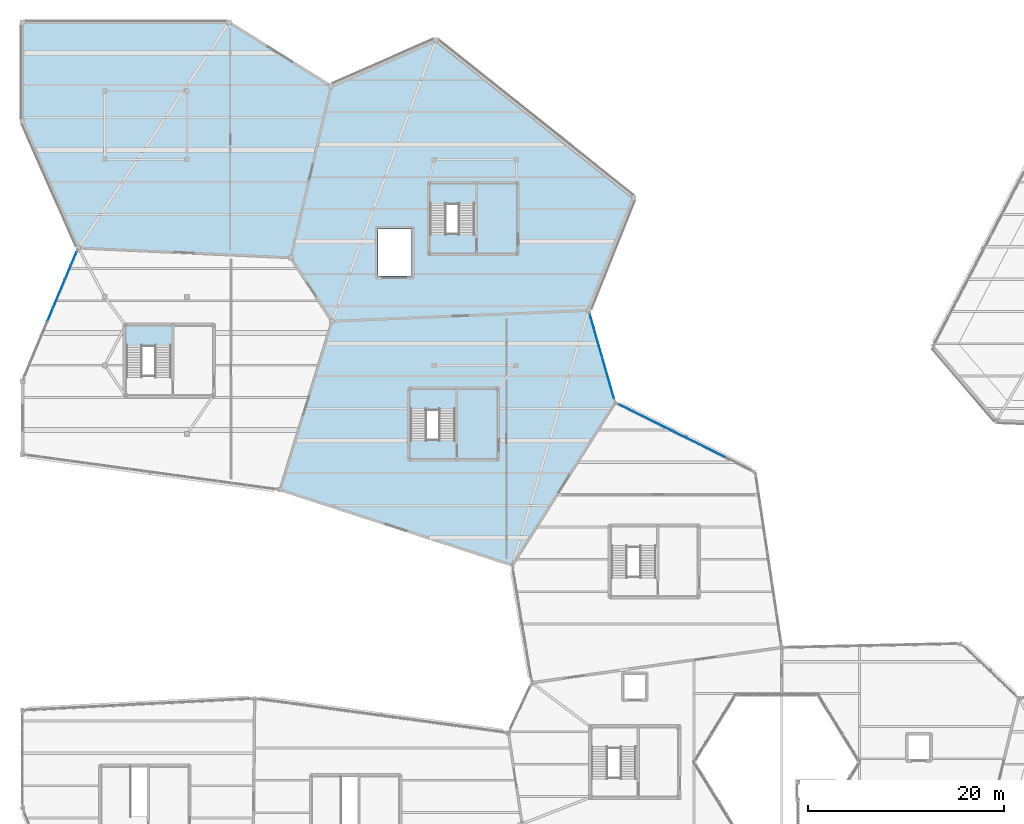
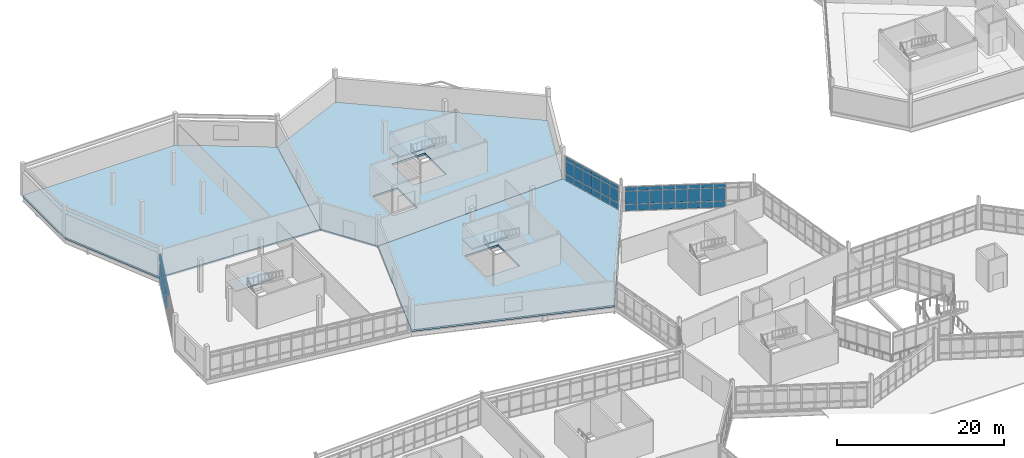
# One storey, part 93 of 134: 55 plates, 6 slabs, 6 elements without a shape of their own.
"""IFC4 building model written with IfcOpenShell, lengths in metres."""

from ifc_helpers import new_model, si_unit, direction, frame, origin, origin_2d, place, context, subcontext, project, spatial, polyline, rectangle, outline, extrude, material, layer, layer_set, type_object, element, aggregate, save


model = new_model("IFC4")

# Units and contexts
model_context = context("Model", 3, precision=1e-05, world=origin(), true_north=direction((0.0, 1.0)))
body_context = subcontext(model_context, "Body", "Model", "MODEL_VIEW")
ifc_project = project(units=[si_unit("LENGTHUNIT", "METRE"), si_unit("AREAUNIT", "SQUARE_METRE"), si_unit("VOLUMEUNIT", "CUBIC_METRE"), si_unit("PLANEANGLEUNIT", "RADIAN"), si_unit("MASSUNIT", "GRAM", prefix="KILO")], contexts=[model_context])

# Site, building, storey
site_placement = place(None, origin())
site = spatial("IfcSite", under=ifc_project, at=site_placement, CompositionType="ELEMENT")
building_placement = place(site_placement, origin())
building = spatial("IfcBuilding", under=site, at=building_placement, Name="Tameran Prism Museum", CompositionType="ELEMENT")
storey_placement = place(building_placement, frame((0.0, 0.0, 5.39990234375)))
storey = spatial("IfcBuildingStorey", under=building, at=storey_placement, Name="L01", CompositionType="ELEMENT", Elevation=5.39990234375)

# Curtain wall, plates
ifc_material_1 = material(Name="Anodised Aluminium 6063-T6 and Cyclone Solar Glass", Category="aluminium")
curtain_wall_type_1 = type_object("IfcCurtainWallType", Name="CW-FAC-1520x362", PredefinedType="USERDEFINED", material=ifc_material_1)
curtain_wall_1_placement = place(storey_placement, origin())
curtain_wall_1 = element("IfcCurtainWall", 1, at=curtain_wall_1_placement, inside=storey, type_object=curtain_wall_type_1, Name="Unitised Curtain Wall CW-071", ObjectType="UNITISED CURTAIN WALL", PredefinedType="USERDEFINED")
ifc_material_2 = material(Name="Cyclone Laminated Solar Glass", Category="glass")
ifc_layer_1 = layer(ifc_material_2, 0.031982421875)
ifc_layer_set_1 = layer_set([ifc_layer_1])
plate_type = type_object("IfcPlateType", Name="CW-PNL-G32", PredefinedType="CURTAIN_PANEL", material=ifc_layer_set_1)
plate_1_placement = place(storey_placement, frame((61.5625, 72.671630859375, 0.06494140625), z_axis=(0.0, 0.0, 1.0), x_axis=(0.895712459966, -0.444633769593, 0.0)))
plate_1 = element("IfcPlate", 2, at=plate_1_placement, type_object=plate_type, Name="CW-071 panel 1.1", PredefinedType="CURTAIN_PANEL", context=body_context, shape_type="SweptSolid", body=[
    extrude(rectangle(XDim=1.423095703125, YDim=0.031982421875, at=origin_2d()), origin(), (0.0, 0.0, 1.0), 0.902587890625),
])
plate_2_placement = place(storey_placement, frame((61.5625, 72.671630859375, 1.03271484375), z_axis=(0.0, 0.0, 1.0), x_axis=(0.895712459966, -0.444633769593, 0.0)))
plate_2 = element("IfcPlate", 3, at=plate_2_placement, type_object=plate_type, Name="CW-071 panel 1.2", PredefinedType="CURTAIN_PANEL", context=body_context, shape_type="SweptSolid", body=[
    extrude(rectangle(XDim=1.423095703125, YDim=0.031982421875, at=origin_2d()), origin(), (0.0, 0.0, 1.0), 1.875),
])
plate_3_placement = place(storey_placement, frame((61.5625, 72.671630859375, 2.97265625), z_axis=(0.0, 0.0, 1.0), x_axis=(0.895712459966, -0.444633769593, 0.0)))
plate_3 = element("IfcPlate", 4, at=plate_3_placement, type_object=plate_type, Name="CW-071 panel 1.3", PredefinedType="CURTAIN_PANEL", context=body_context, shape_type="SweptSolid", body=[
    extrude(rectangle(XDim=1.423095703125, YDim=0.031982421875, at=origin_2d()), origin(), (0.0, 0.0, 1.0), 0.58251953125),
])
plate_4_placement = place(storey_placement, frame((62.909912109375, 72.0029296875, 0.06494140625), z_axis=(0.0, 0.0, 1.0), x_axis=(0.895712459966, -0.444633769593, 0.0)))
plate_4 = element("IfcPlate", 5, at=plate_4_placement, type_object=plate_type, Name="CW-071 panel 2.1", PredefinedType="CURTAIN_PANEL", context=body_context, shape_type="SweptSolid", body=[
    extrude(rectangle(XDim=1.45556640625, YDim=0.031982421875, at=origin_2d()), origin(), (0.0, 0.0, 1.0), 0.902587890625),
])
plate_5_placement = place(storey_placement, frame((62.909912109375, 72.0029296875, 1.03271484375), z_axis=(0.0, 0.0, 1.0), x_axis=(0.895712459966, -0.444633769593, 0.0)))
plate_5 = element("IfcPlate", 6, at=plate_5_placement, type_object=plate_type, Name="CW-071 panel 2.2", PredefinedType="CURTAIN_PANEL", context=body_context, shape_type="SweptSolid", body=[
    extrude(rectangle(XDim=1.45556640625, YDim=0.031982421875, at=origin_2d()), origin(), (0.0, 0.0, 1.0), 1.875),
])
plate_6_placement = place(storey_placement, frame((62.909912109375, 72.0029296875, 2.97265625), z_axis=(0.0, 0.0, 1.0), x_axis=(0.895712459966, -0.444633769593, 0.0)))
plate_6 = element("IfcPlate", 7, at=plate_6_placement, type_object=plate_type, Name="CW-071 panel 2.3", PredefinedType="CURTAIN_PANEL", context=body_context, shape_type="SweptSolid", body=[
    extrude(rectangle(XDim=1.45556640625, YDim=0.031982421875, at=origin_2d()), origin(), (0.0, 0.0, 1.0), 0.58251953125),
])
plate_7_placement = place(storey_placement, frame((64.27197265625, 71.32666015625, 0.06494140625), z_axis=(0.0, 0.0, 1.0), x_axis=(0.895712459966, -0.444633769593, 0.0)))
plate_7 = element("IfcPlate", 8, at=plate_7_placement, type_object=plate_type, Name="CW-071 panel 3.1", PredefinedType="CURTAIN_PANEL", context=body_context, shape_type="SweptSolid", body=[
    extrude(rectangle(XDim=1.45556640625, YDim=0.031982421875, at=origin_2d()), origin(), (0.0, 0.0, 1.0), 0.902587890625),
])
plate_8_placement = place(storey_placement, frame((64.27197265625, 71.32666015625, 1.03271484375), z_axis=(0.0, 0.0, 1.0), x_axis=(0.895712459966, -0.444633769593, 0.0)))
plate_8 = element("IfcPlate", 9, at=plate_8_placement, type_object=plate_type, Name="CW-071 panel 3.2", PredefinedType="CURTAIN_PANEL", context=body_context, shape_type="SweptSolid", body=[
    extrude(rectangle(XDim=1.45556640625, YDim=0.031982421875, at=origin_2d()), origin(), (0.0, 0.0, 1.0), 1.875),
])
plate_9_placement = place(storey_placement, frame((64.27197265625, 71.32666015625, 2.97265625), z_axis=(0.0, 0.0, 1.0), x_axis=(0.895712459966, -0.444633769593, 0.0)))
plate_9 = element("IfcPlate", 10, at=plate_9_placement, type_object=plate_type, Name="CW-071 panel 3.3", PredefinedType="CURTAIN_PANEL", context=body_context, shape_type="SweptSolid", body=[
    extrude(rectangle(XDim=1.45556640625, YDim=0.031982421875, at=origin_2d()), origin(), (0.0, 0.0, 1.0), 0.58251953125),
])
plate_10_placement = place(storey_placement, frame((65.634033203125, 70.650634765625, 0.06494140625), z_axis=(0.0, 0.0, 1.0), x_axis=(0.895712459966, -0.444633769593, 0.0)))
plate_10 = element("IfcPlate", 11, at=plate_10_placement, type_object=plate_type, Name="CW-071 panel 4.1", PredefinedType="CURTAIN_PANEL", context=body_context, shape_type="SweptSolid", body=[
    extrude(rectangle(XDim=1.45556640625, YDim=0.031982421875, at=origin_2d()), origin(), (0.0, 0.0, 1.0), 0.902587890625),
])
plate_11_placement = place(storey_placement, frame((65.634033203125, 70.650634765625, 1.03271484375), z_axis=(0.0, 0.0, 1.0), x_axis=(0.895712459966, -0.444633769593, 0.0)))
plate_11 = element("IfcPlate", 12, at=plate_11_placement, type_object=plate_type, Name="CW-071 panel 4.2", PredefinedType="CURTAIN_PANEL", context=body_context, shape_type="SweptSolid", body=[
    extrude(rectangle(XDim=1.45556640625, YDim=0.031982421875, at=origin_2d()), origin(), (0.0, 0.0, 1.0), 1.875),
])
plate_12_placement = place(storey_placement, frame((65.634033203125, 70.650634765625, 2.97265625), z_axis=(0.0, 0.0, 1.0), x_axis=(0.895712459966, -0.444633769593, 0.0)))
plate_12 = element("IfcPlate", 13, at=plate_12_placement, type_object=plate_type, Name="CW-071 panel 4.3", PredefinedType="CURTAIN_PANEL", context=body_context, shape_type="SweptSolid", body=[
    extrude(rectangle(XDim=1.45556640625, YDim=0.031982421875, at=origin_2d()), origin(), (0.0, 0.0, 1.0), 0.58251953125),
])
plate_13_placement = place(storey_placement, frame((66.99609375, 69.974609375, 0.06494140625), z_axis=(0.0, 0.0, 1.0), x_axis=(0.895712459966, -0.444633769593, 0.0)))
plate_13 = element("IfcPlate", 14, at=plate_13_placement, type_object=plate_type, Name="CW-071 panel 5.1", PredefinedType="CURTAIN_PANEL", context=body_context, shape_type="SweptSolid", body=[
    extrude(rectangle(XDim=1.45556640625, YDim=0.031982421875, at=origin_2d()), origin(), (0.0, 0.0, 1.0), 0.902587890625),
])
plate_14_placement = place(storey_placement, frame((66.99609375, 69.974609375, 1.03271484375), z_axis=(0.0, 0.0, 1.0), x_axis=(0.895712459966, -0.444633769593, 0.0)))
plate_14 = element("IfcPlate", 15, at=plate_14_placement, type_object=plate_type, Name="CW-071 panel 5.2", PredefinedType="CURTAIN_PANEL", context=body_context, shape_type="SweptSolid", body=[
    extrude(rectangle(XDim=1.45556640625, YDim=0.031982421875, at=origin_2d()), origin(), (0.0, 0.0, 1.0), 1.875),
])
plate_15_placement = place(storey_placement, frame((66.99609375, 69.974609375, 2.97265625), z_axis=(0.0, 0.0, 1.0), x_axis=(0.895712459966, -0.444633769593, 0.0)))
plate_15 = element("IfcPlate", 16, at=plate_15_placement, type_object=plate_type, Name="CW-071 panel 5.3", PredefinedType="CURTAIN_PANEL", context=body_context, shape_type="SweptSolid", body=[
    extrude(rectangle(XDim=1.45556640625, YDim=0.031982421875, at=origin_2d()), origin(), (0.0, 0.0, 1.0), 0.58251953125),
])
plate_16_placement = place(storey_placement, frame((68.35791015625, 69.29833984375, 0.06494140625), z_axis=(0.0, 0.0, 1.0), x_axis=(0.895712459966, -0.444633769593, 0.0)))
plate_16 = element("IfcPlate", 17, at=plate_16_placement, type_object=plate_type, Name="CW-071 panel 6.1", PredefinedType="CURTAIN_PANEL", context=body_context, shape_type="SweptSolid", body=[
    extrude(rectangle(XDim=1.45556640625, YDim=0.031982421875, at=origin_2d()), origin(), (0.0, 0.0, 1.0), 0.902587890625),
])
plate_17_placement = place(storey_placement, frame((68.35791015625, 69.29833984375, 1.03271484375), z_axis=(0.0, 0.0, 1.0), x_axis=(0.895712459966, -0.444633769593, 0.0)))
plate_17 = element("IfcPlate", 18, at=plate_17_placement, type_object=plate_type, Name="CW-071 panel 6.2", PredefinedType="CURTAIN_PANEL", context=body_context, shape_type="SweptSolid", body=[
    extrude(rectangle(XDim=1.45556640625, YDim=0.031982421875, at=origin_2d()), origin(), (0.0, 0.0, 1.0), 1.875),
])
plate_18_placement = place(storey_placement, frame((68.35791015625, 69.29833984375, 2.97265625), z_axis=(0.0, 0.0, 1.0), x_axis=(0.895712459966, -0.444633769593, 0.0)))
plate_18 = element("IfcPlate", 19, at=plate_18_placement, type_object=plate_type, Name="CW-071 panel 6.3", PredefinedType="CURTAIN_PANEL", context=body_context, shape_type="SweptSolid", body=[
    extrude(rectangle(XDim=1.45556640625, YDim=0.031982421875, at=origin_2d()), origin(), (0.0, 0.0, 1.0), 0.58251953125),
])
plate_19_placement = place(storey_placement, frame((69.719970703125, 68.622314453125, 0.06494140625), z_axis=(0.0, 0.0, 1.0), x_axis=(0.895712459966, -0.444633769593, 0.0)))
plate_19 = element("IfcPlate", 20, at=plate_19_placement, type_object=plate_type, Name="CW-071 panel 7.1", PredefinedType="CURTAIN_PANEL", context=body_context, shape_type="SweptSolid", body=[
    extrude(rectangle(XDim=1.45556640625, YDim=0.031982421875, at=origin_2d()), origin(), (0.0, 0.0, 1.0), 0.902587890625),
])
plate_20_placement = place(storey_placement, frame((69.719970703125, 68.622314453125, 1.03271484375), z_axis=(0.0, 0.0, 1.0), x_axis=(0.895712459966, -0.444633769593, 0.0)))
plate_20 = element("IfcPlate", 21, at=plate_20_placement, type_object=plate_type, Name="CW-071 panel 7.2", PredefinedType="CURTAIN_PANEL", context=body_context, shape_type="SweptSolid", body=[
    extrude(rectangle(XDim=1.45556640625, YDim=0.031982421875, at=origin_2d()), origin(), (0.0, 0.0, 1.0), 1.875),
])
plate_21_placement = place(storey_placement, frame((69.719970703125, 68.622314453125, 2.97265625), z_axis=(0.0, 0.0, 1.0), x_axis=(0.895712459966, -0.444633769593, 0.0)))
plate_21 = element("IfcPlate", 22, at=plate_21_placement, type_object=plate_type, Name="CW-071 panel 7.3", PredefinedType="CURTAIN_PANEL", context=body_context, shape_type="SweptSolid", body=[
    extrude(rectangle(XDim=1.45556640625, YDim=0.031982421875, at=origin_2d()), origin(), (0.0, 0.0, 1.0), 0.58251953125),
])
plate_22_placement = place(storey_placement, frame((71.08203125, 67.9462890625, 0.06494140625), z_axis=(0.0, 0.0, 1.0), x_axis=(0.895712459966, -0.444633769593, 0.0)))
plate_22 = element("IfcPlate", 23, at=plate_22_placement, type_object=plate_type, Name="CW-071 panel 8.1", PredefinedType="CURTAIN_PANEL", context=body_context, shape_type="SweptSolid", body=[
    extrude(rectangle(XDim=1.45556640625, YDim=0.031982421875, at=origin_2d()), origin(), (0.0, 0.0, 1.0), 0.902587890625),
])
plate_23_placement = place(storey_placement, frame((71.08203125, 67.9462890625, 1.03271484375), z_axis=(0.0, 0.0, 1.0), x_axis=(0.895712459966, -0.444633769593, 0.0)))
plate_23 = element("IfcPlate", 24, at=plate_23_placement, type_object=plate_type, Name="CW-071 panel 8.2", PredefinedType="CURTAIN_PANEL", context=body_context, shape_type="SweptSolid", body=[
    extrude(rectangle(XDim=1.45556640625, YDim=0.031982421875, at=origin_2d()), origin(), (0.0, 0.0, 1.0), 1.875),
])
plate_24_placement = place(storey_placement, frame((71.08203125, 67.9462890625, 2.97265625), z_axis=(0.0, 0.0, 1.0), x_axis=(0.895712459966, -0.444633769593, 0.0)))
plate_24 = element("IfcPlate", 25, at=plate_24_placement, type_object=plate_type, Name="CW-071 panel 8.3", PredefinedType="CURTAIN_PANEL", context=body_context, shape_type="SweptSolid", body=[
    extrude(rectangle(XDim=1.45556640625, YDim=0.031982421875, at=origin_2d()), origin(), (0.0, 0.0, 1.0), 0.58251953125),
])
aggregate(curtain_wall_1, [plate_1, plate_2, plate_3, plate_4, plate_5, plate_6, plate_7, plate_8, plate_9, plate_10, plate_11, plate_12, plate_13, plate_14, plate_15, plate_16, plate_17, plate_18, plate_19, plate_20, plate_21, plate_22, plate_23, plate_24])

ifc_material_3 = material(Name="Anodised Aluminium 6063-T6 and Cyclone Solar Glass", Category="aluminium")
curtain_wall_type_2 = type_object("IfcCurtainWallType", Name="CW-FAC-896x362", PredefinedType="USERDEFINED", material=ifc_material_3)
curtain_wall_2_placement = place(storey_placement, origin())
curtain_wall_2 = element("IfcCurtainWall", 26, at=curtain_wall_2_placement, inside=storey, type_object=curtain_wall_type_2, Name="Unitised Curtain Wall CW-092", ObjectType="UNITISED CURTAIN WALL", PredefinedType="USERDEFINED")
plate_25_placement = place(storey_placement, frame((58.124755859375, 81.471435546875, 0.070068359375), z_axis=(0.0, 0.0, 1.0), x_axis=(0.275900197941, -0.961186288279, 0.0)))
plate_25 = element("IfcPlate", 27, at=plate_25_placement, type_object=plate_type, Name="CW-092 panel 1.1", PredefinedType="CURTAIN_PANEL", context=body_context, shape_type="SweptSolid", body=[
    extrude(rectangle(XDim=1.38818359375, YDim=0.031982421875, at=origin_2d()), origin(), (0.0, 0.0, 1.0), 0.89501953125),
])
plate_26_placement = place(storey_placement, frame((58.124755859375, 81.471435546875, 1.03515625), z_axis=(0.0, 0.0, 1.0), x_axis=(0.275900197941, -0.961186288279, 0.0)))
plate_26 = element("IfcPlate", 28, at=plate_26_placement, type_object=plate_type, Name="CW-092 panel 1.2", PredefinedType="CURTAIN_PANEL", context=body_context, shape_type="SweptSolid", body=[
    extrude(rectangle(XDim=1.38818359375, YDim=0.031982421875, at=origin_2d()), origin(), (0.0, 0.0, 1.0), 1.8701171875),
])
plate_27_placement = place(storey_placement, frame((58.124755859375, 81.471435546875, 2.97509765625), z_axis=(0.0, 0.0, 1.0), x_axis=(0.275900197941, -0.961186288279, 0.0)))
plate_27 = element("IfcPlate", 29, at=plate_27_placement, type_object=plate_type, Name="CW-092 panel 1.3", PredefinedType="CURTAIN_PANEL", context=body_context, shape_type="SweptSolid", body=[
    extrude(rectangle(XDim=1.38818359375, YDim=0.031982421875, at=origin_2d()), origin(), (0.0, 0.0, 1.0), 0.574951171875),
])
plate_28_placement = place(storey_placement, frame((58.531982421875, 80.052978515625, 0.070068359375), z_axis=(0.0, 0.0, 1.0), x_axis=(0.275900197941, -0.961186288279, 0.0)))
plate_28 = element("IfcPlate", 30, at=plate_28_placement, type_object=plate_type, Name="CW-092 panel 2.1", PredefinedType="CURTAIN_PANEL", context=body_context, shape_type="SweptSolid", body=[
    extrude(rectangle(XDim=1.42333984375, YDim=0.031982421875, at=origin_2d()), origin(), (0.0, 0.0, 1.0), 0.89501953125),
])
plate_29_placement = place(storey_placement, frame((58.531982421875, 80.052978515625, 1.03515625), z_axis=(0.0, 0.0, 1.0), x_axis=(0.275900197941, -0.961186288279, 0.0)))
plate_29 = element("IfcPlate", 31, at=plate_29_placement, type_object=plate_type, Name="CW-092 panel 2.2", PredefinedType="CURTAIN_PANEL", context=body_context, shape_type="SweptSolid", body=[
    extrude(rectangle(XDim=1.42333984375, YDim=0.031982421875, at=origin_2d()), origin(), (0.0, 0.0, 1.0), 1.8701171875),
])
plate_30_placement = place(storey_placement, frame((58.531982421875, 80.052978515625, 2.97509765625), z_axis=(0.0, 0.0, 1.0), x_axis=(0.275900197941, -0.961186288279, 0.0)))
plate_30 = element("IfcPlate", 32, at=plate_30_placement, type_object=plate_type, Name="CW-092 panel 2.3", PredefinedType="CURTAIN_PANEL", context=body_context, shape_type="SweptSolid", body=[
    extrude(rectangle(XDim=1.42333984375, YDim=0.031982421875, at=origin_2d()), origin(), (0.0, 0.0, 1.0), 0.574951171875),
])
plate_31_placement = place(storey_placement, frame((58.944091796875, 78.61767578125, 0.070068359375), z_axis=(0.0, 0.0, 1.0), x_axis=(0.275900197941, -0.961186288279, 0.0)))
plate_31 = element("IfcPlate", 33, at=plate_31_placement, type_object=plate_type, Name="CW-092 panel 3.1", PredefinedType="CURTAIN_PANEL", context=body_context, shape_type="SweptSolid", body=[
    extrude(rectangle(XDim=1.42333984375, YDim=0.031982421875, at=origin_2d()), origin(), (0.0, 0.0, 1.0), 0.89501953125),
])
plate_32_placement = place(storey_placement, frame((58.944091796875, 78.61767578125, 1.03515625), z_axis=(0.0, 0.0, 1.0), x_axis=(0.275900197941, -0.961186288279, 0.0)))
plate_32 = element("IfcPlate", 34, at=plate_32_placement, type_object=plate_type, Name="CW-092 panel 3.2", PredefinedType="CURTAIN_PANEL", context=body_context, shape_type="SweptSolid", body=[
    extrude(rectangle(XDim=1.42333984375, YDim=0.031982421875, at=origin_2d()), origin(), (0.0, 0.0, 1.0), 1.8701171875),
])
plate_33_placement = place(storey_placement, frame((58.944091796875, 78.61767578125, 2.97509765625), z_axis=(0.0, 0.0, 1.0), x_axis=(0.275900197941, -0.961186288279, 0.0)))
plate_33 = element("IfcPlate", 35, at=plate_33_placement, type_object=plate_type, Name="CW-092 panel 3.3", PredefinedType="CURTAIN_PANEL", context=body_context, shape_type="SweptSolid", body=[
    extrude(rectangle(XDim=1.42333984375, YDim=0.031982421875, at=origin_2d()), origin(), (0.0, 0.0, 1.0), 0.574951171875),
])
plate_34_placement = place(storey_placement, frame((59.35595703125, 77.182373046875, 0.070068359375), z_axis=(0.0, 0.0, 1.0), x_axis=(0.275900197941, -0.961186288279, 0.0)))
plate_34 = element("IfcPlate", 36, at=plate_34_placement, type_object=plate_type, Name="CW-092 panel 4.1", PredefinedType="CURTAIN_PANEL", context=body_context, shape_type="SweptSolid", body=[
    extrude(rectangle(XDim=1.42333984375, YDim=0.031982421875, at=origin_2d()), origin(), (0.0, 0.0, 1.0), 0.89501953125),
])
plate_35_placement = place(storey_placement, frame((59.35595703125, 77.182373046875, 1.03515625), z_axis=(0.0, 0.0, 1.0), x_axis=(0.275900197941, -0.961186288279, 0.0)))
plate_35 = element("IfcPlate", 37, at=plate_35_placement, type_object=plate_type, Name="CW-092 panel 4.2", PredefinedType="CURTAIN_PANEL", context=body_context, shape_type="SweptSolid", body=[
    extrude(rectangle(XDim=1.42333984375, YDim=0.031982421875, at=origin_2d()), origin(), (0.0, 0.0, 1.0), 1.8701171875),
])
plate_36_placement = place(storey_placement, frame((59.35595703125, 77.182373046875, 2.97509765625), z_axis=(0.0, 0.0, 1.0), x_axis=(0.275900197941, -0.961186288279, 0.0)))
plate_36 = element("IfcPlate", 38, at=plate_36_placement, type_object=plate_type, Name="CW-092 panel 4.3", PredefinedType="CURTAIN_PANEL", context=body_context, shape_type="SweptSolid", body=[
    extrude(rectangle(XDim=1.42333984375, YDim=0.031982421875, at=origin_2d()), origin(), (0.0, 0.0, 1.0), 0.574951171875),
])
plate_37_placement = place(storey_placement, frame((59.76806640625, 75.7470703125, 0.070068359375), z_axis=(0.0, 0.0, 1.0), x_axis=(0.275900197941, -0.961186288279, 0.0)))
plate_37 = element("IfcPlate", 39, at=plate_37_placement, type_object=plate_type, Name="CW-092 panel 5.1", PredefinedType="CURTAIN_PANEL", context=body_context, shape_type="SweptSolid", body=[
    extrude(rectangle(XDim=1.42333984375, YDim=0.031982421875, at=origin_2d()), origin(), (0.0, 0.0, 1.0), 0.89501953125),
])
plate_38_placement = place(storey_placement, frame((59.76806640625, 75.7470703125, 1.03515625), z_axis=(0.0, 0.0, 1.0), x_axis=(0.275900197941, -0.961186288279, 0.0)))
plate_38 = element("IfcPlate", 40, at=plate_38_placement, type_object=plate_type, Name="CW-092 panel 5.2", PredefinedType="CURTAIN_PANEL", context=body_context, shape_type="SweptSolid", body=[
    extrude(rectangle(XDim=1.42333984375, YDim=0.031982421875, at=origin_2d()), origin(), (0.0, 0.0, 1.0), 1.8701171875),
])
plate_39_placement = place(storey_placement, frame((59.76806640625, 75.7470703125, 2.97509765625), z_axis=(0.0, 0.0, 1.0), x_axis=(0.275900197941, -0.961186288279, 0.0)))
plate_39 = element("IfcPlate", 41, at=plate_39_placement, type_object=plate_type, Name="CW-092 panel 5.3", PredefinedType="CURTAIN_PANEL", context=body_context, shape_type="SweptSolid", body=[
    extrude(rectangle(XDim=1.42333984375, YDim=0.031982421875, at=origin_2d()), origin(), (0.0, 0.0, 1.0), 0.574951171875),
])
plate_40_placement = place(storey_placement, frame((60.17529296875, 74.328369140625, 0.070068359375), z_axis=(0.0, 0.0, 1.0), x_axis=(0.275900197941, -0.961186288279, 0.0)))
plate_40 = element("IfcPlate", 42, at=plate_40_placement, type_object=plate_type, Name="CW-092 panel 6.1", PredefinedType="CURTAIN_PANEL", context=body_context, shape_type="SweptSolid", body=[
    extrude(rectangle(XDim=1.38818359375, YDim=0.031982421875, at=origin_2d()), origin(), (0.0, 0.0, 1.0), 0.89501953125),
])
plate_41_placement = place(storey_placement, frame((60.17529296875, 74.328369140625, 1.03515625), z_axis=(0.0, 0.0, 1.0), x_axis=(0.275900197941, -0.961186288279, 0.0)))
plate_41 = element("IfcPlate", 43, at=plate_41_placement, type_object=plate_type, Name="CW-092 panel 6.2", PredefinedType="CURTAIN_PANEL", context=body_context, shape_type="SweptSolid", body=[
    extrude(rectangle(XDim=1.38818359375, YDim=0.031982421875, at=origin_2d()), origin(), (0.0, 0.0, 1.0), 1.8701171875),
])
plate_42_placement = place(storey_placement, frame((60.17529296875, 74.328369140625, 2.97509765625), z_axis=(0.0, 0.0, 1.0), x_axis=(0.275900197941, -0.961186288279, 0.0)))
plate_42 = element("IfcPlate", 44, at=plate_42_placement, type_object=plate_type, Name="CW-092 panel 6.3", PredefinedType="CURTAIN_PANEL", context=body_context, shape_type="SweptSolid", body=[
    extrude(rectangle(XDim=1.38818359375, YDim=0.031982421875, at=origin_2d()), origin(), (0.0, 0.0, 1.0), 0.574951171875),
])
aggregate(curtain_wall_2, [plate_25, plate_26, plate_27, plate_28, plate_29, plate_30, plate_31, plate_32, plate_33, plate_34, plate_35, plate_36, plate_37, plate_38, plate_39, plate_40, plate_41, plate_42])

ifc_material_4 = material(Name="Anodised Aluminium 6063-T6 and Cyclone Solar Glass", Category="aluminium")
curtain_wall_type_3 = type_object("IfcCurtainWallType", Name="CW-FAC-1399x362", PredefinedType="USERDEFINED", material=ifc_material_4)
curtain_wall_3_placement = place(storey_placement, origin())
curtain_wall_3 = element("IfcCurtainWall", 45, at=curtain_wall_3_placement, inside=storey, type_object=curtain_wall_type_3, Name="Unitised Curtain Wall CW-094", ObjectType="UNITISED CURTAIN WALL", PredefinedType="USERDEFINED")
plate_43_placement = place(storey_placement, frame((2.83837890625, 82.172607421875, 2.97998046875), z_axis=(0.0, 0.0, 1.0), x_axis=(0.386589370609, 0.922251949595, 0.0)))
plate_43 = element("IfcPlate", 46, at=plate_43_placement, type_object=plate_type, Name="CW-094 panel 5.3", PredefinedType="CURTAIN_PANEL", context=body_context, shape_type="SweptSolid", body=[
    extrude(rectangle(XDim=1.47412109375, YDim=0.031982421875, at=origin_2d()), origin(), (0.0, 0.0, 1.0), 0.56005859375),
])
plate_44_placement = place(storey_placement, frame((3.439208984375, 83.605712890625, 0.080078125), z_axis=(0.0, 0.0, 1.0), x_axis=(0.386589370609, 0.922251949595, 0.0)))
plate_44 = element("IfcPlate", 47, at=plate_44_placement, type_object=plate_type, Name="CW-094 panel 6.1", PredefinedType="CURTAIN_PANEL", context=body_context, shape_type="SweptSolid", body=[
    extrude(rectangle(XDim=1.47412109375, YDim=0.031982421875, at=origin_2d()), origin(), (0.0, 0.0, 1.0), 0.8798828125),
])
plate_45_placement = place(storey_placement, frame((3.439208984375, 83.605712890625, 1.0400390625), z_axis=(0.0, 0.0, 1.0), x_axis=(0.386589370609, 0.922251949595, 0.0)))
plate_45 = element("IfcPlate", 48, at=plate_45_placement, type_object=plate_type, Name="CW-094 panel 6.2", PredefinedType="CURTAIN_PANEL", context=body_context, shape_type="SweptSolid", body=[
    extrude(rectangle(XDim=1.47412109375, YDim=0.031982421875, at=origin_2d()), origin(), (0.0, 0.0, 1.0), 1.860107421875),
])
plate_46_placement = place(storey_placement, frame((3.439208984375, 83.605712890625, 2.97998046875), z_axis=(0.0, 0.0, 1.0), x_axis=(0.386589370609, 0.922251949595, 0.0)))
plate_46 = element("IfcPlate", 49, at=plate_46_placement, type_object=plate_type, Name="CW-094 panel 6.3", PredefinedType="CURTAIN_PANEL", context=body_context, shape_type="SweptSolid", body=[
    extrude(rectangle(XDim=1.47412109375, YDim=0.031982421875, at=origin_2d()), origin(), (0.0, 0.0, 1.0), 0.56005859375),
])
plate_47_placement = place(storey_placement, frame((4.0400390625, 85.0390625, 0.080078125), z_axis=(0.0, 0.0, 1.0), x_axis=(0.386589370609, 0.922251949595, 0.0)))
plate_47 = element("IfcPlate", 50, at=plate_47_placement, type_object=plate_type, Name="CW-094 panel 7.1", PredefinedType="CURTAIN_PANEL", context=body_context, shape_type="SweptSolid", body=[
    extrude(rectangle(XDim=1.47412109375, YDim=0.031982421875, at=origin_2d()), origin(), (0.0, 0.0, 1.0), 0.8798828125),
])
plate_48_placement = place(storey_placement, frame((4.0400390625, 85.0390625, 1.0400390625), z_axis=(0.0, 0.0, 1.0), x_axis=(0.386589370609, 0.922251949595, 0.0)))
plate_48 = element("IfcPlate", 51, at=plate_48_placement, type_object=plate_type, Name="CW-094 panel 7.2", PredefinedType="CURTAIN_PANEL", context=body_context, shape_type="SweptSolid", body=[
    extrude(rectangle(XDim=1.47412109375, YDim=0.031982421875, at=origin_2d()), origin(), (0.0, 0.0, 1.0), 1.860107421875),
])
plate_49_placement = place(storey_placement, frame((4.0400390625, 85.0390625, 2.97998046875), z_axis=(0.0, 0.0, 1.0), x_axis=(0.386589370609, 0.922251949595, 0.0)))
plate_49 = element("IfcPlate", 52, at=plate_49_placement, type_object=plate_type, Name="CW-094 panel 7.3", PredefinedType="CURTAIN_PANEL", context=body_context, shape_type="SweptSolid", body=[
    extrude(rectangle(XDim=1.47412109375, YDim=0.031982421875, at=origin_2d()), origin(), (0.0, 0.0, 1.0), 0.56005859375),
])
plate_50_placement = place(storey_placement, frame((4.640869140625, 86.47216796875, 0.080078125), z_axis=(0.0, 0.0, 1.0), x_axis=(0.386589370609, 0.922251949595, 0.0)))
plate_50 = element("IfcPlate", 53, at=plate_50_placement, type_object=plate_type, Name="CW-094 panel 8.1", PredefinedType="CURTAIN_PANEL", context=body_context, shape_type="SweptSolid", body=[
    extrude(rectangle(XDim=1.47412109375, YDim=0.031982421875, at=origin_2d()), origin(), (0.0, 0.0, 1.0), 0.8798828125),
])
plate_51_placement = place(storey_placement, frame((4.640869140625, 86.47216796875, 1.0400390625), z_axis=(0.0, 0.0, 1.0), x_axis=(0.386589370609, 0.922251949595, 0.0)))
plate_51 = element("IfcPlate", 54, at=plate_51_placement, type_object=plate_type, Name="CW-094 panel 8.2", PredefinedType="CURTAIN_PANEL", context=body_context, shape_type="SweptSolid", body=[
    extrude(rectangle(XDim=1.47412109375, YDim=0.031982421875, at=origin_2d()), origin(), (0.0, 0.0, 1.0), 1.860107421875),
])
plate_52_placement = place(storey_placement, frame((4.640869140625, 86.47216796875, 2.97998046875), z_axis=(0.0, 0.0, 1.0), x_axis=(0.386589370609, 0.922251949595, 0.0)))
plate_52 = element("IfcPlate", 55, at=plate_52_placement, type_object=plate_type, Name="CW-094 panel 8.3", PredefinedType="CURTAIN_PANEL", context=body_context, shape_type="SweptSolid", body=[
    extrude(rectangle(XDim=1.47412109375, YDim=0.031982421875, at=origin_2d()), origin(), (0.0, 0.0, 1.0), 0.56005859375),
])
plate_53_placement = place(storey_placement, frame((5.23388671875, 87.886962890625, 0.080078125), z_axis=(0.0, 0.0, 1.0), x_axis=(0.386589370609, 0.922251949595, 0.0)))
plate_53 = element("IfcPlate", 56, at=plate_53_placement, type_object=plate_type, Name="CW-094 panel 9.1", PredefinedType="CURTAIN_PANEL", context=body_context, shape_type="SweptSolid", body=[
    extrude(rectangle(XDim=1.43408203125, YDim=0.031982421875, at=origin_2d()), origin(), (0.0, 0.0, 1.0), 0.8798828125),
])
plate_54_placement = place(storey_placement, frame((5.23388671875, 87.886962890625, 1.0400390625), z_axis=(0.0, 0.0, 1.0), x_axis=(0.386589370609, 0.922251949595, 0.0)))
plate_54 = element("IfcPlate", 57, at=plate_54_placement, type_object=plate_type, Name="CW-094 panel 9.2", PredefinedType="CURTAIN_PANEL", context=body_context, shape_type="SweptSolid", body=[
    extrude(rectangle(XDim=1.43408203125, YDim=0.031982421875, at=origin_2d()), origin(), (0.0, 0.0, 1.0), 1.860107421875),
])
plate_55_placement = place(storey_placement, frame((5.23388671875, 87.886962890625, 2.97998046875), z_axis=(0.0, 0.0, 1.0), x_axis=(0.386589370609, 0.922251949595, 0.0)))
plate_55 = element("IfcPlate", 58, at=plate_55_placement, type_object=plate_type, Name="CW-094 panel 9.3", PredefinedType="CURTAIN_PANEL", context=body_context, shape_type="SweptSolid", body=[
    extrude(rectangle(XDim=1.43408203125, YDim=0.031982421875, at=origin_2d()), origin(), (0.0, 0.0, 1.0), 0.56005859375),
])
aggregate(curtain_wall_3, [plate_43, plate_44, plate_45, plate_46, plate_47, plate_48, plate_49, plate_50, plate_51, plate_52, plate_53, plate_54, plate_55])

# Slabs
ifc_material_5 = material(Name="Concrete N40 (40 MPa)", Category="concrete")
ifc_layer_2 = layer(ifc_material_5, 0.260009765625)
ifc_layer_set_2 = layer_set([ifc_layer_2])
slab_type_1 = type_object("IfcSlabType", Name="SL-FLR-260", PredefinedType="FLOOR", material=ifc_layer_set_2)
slab_1_placement = place(storey_placement, frame((0.0, 0.0, -0.260009765625)))
element("IfcSlab", 59, at=slab_1_placement, inside=storey, type_object=slab_type_1, Name="Floor Slab FS-P15-L01", PredefinedType="FLOOR", context=body_context, shape_type="SweptSolid", body=[
    extrude(outline(polyline([(26.300048828125, 64.300048828125), (31.60009765625, 81.5), (57.800048828125, 82.60009765625), (60.5, 73.199951171875), (50.0, 56.60009765625), (26.300048828125, 64.300048828125)]), holes=[polyline([(44.219970703125, 74.550048828125), (39.60009765625, 74.550048828125), (39.60009765625, 69.43994140625), (44.219970703125, 69.43994140625), (44.219970703125, 74.550048828125)])]), origin(), (0.0, 0.0, 1.0), 0.260009765625),
])
slab_2_placement = place(storey_placement, frame((0.0, 0.0, -0.260009765625)))
element("IfcSlab", 60, at=slab_2_placement, inside=storey, type_object=slab_type_1, Name="Floor Slab FS-P16-L01", PredefinedType="FLOOR", context=body_context, shape_type="SweptSolid", body=[
    extrude(outline(polyline([(27.39990234375, 88.0), (31.5, 105.5), (42.199951171875, 110.199951171875), (62.39990234375, 94.10009765625), (57.800048828125, 82.60009765625), (31.60009765625, 81.5), (27.39990234375, 88.0)]), holes=[polyline([(39.699951171875, 86.10009765625), (39.699951171875, 90.89990234375), (36.300048828125, 90.89990234375), (36.300048828125, 86.10009765625), (39.699951171875, 86.10009765625)]), polyline([(46.219970703125, 90.43994140625), (46.219970703125, 95.550048828125), (41.60009765625, 95.550048828125), (41.60009765625, 90.43994140625), (46.219970703125, 90.43994140625)])]), origin(), (0.0, 0.0, 1.0), 0.260009765625),
])
slab_3_placement = place(storey_placement, frame((0.0, 0.0, -0.260009765625)))
element("IfcSlab", 61, at=slab_3_placement, inside=storey, type_object=slab_type_1, Name="Floor Slab FS-P18-L01", PredefinedType="FLOOR", context=body_context, shape_type="SweptSolid", body=[
    extrude(outline(polyline([(5.699951171875, 89.0), (27.39990234375, 88.0), (31.5, 105.5), (21.10009765625, 112.0), (0.0, 112.0), (0.0, 101.89990234375), (5.699951171875, 89.0)])), origin(), (0.0, 0.0, 1.0), 0.260009765625),
])

# Stair, slab
ifc_material_6 = material(Name="Concrete N40 (40 MPa)", Category="concrete")
stair_type = type_object("IfcStairType", Name="ST-CORE-48", PredefinedType="HALF_TURN_STAIR", material=ifc_material_6)
stair_1_placement = place(storey_placement, origin())
stair_1 = element("IfcStair", 62, at=stair_1_placement, inside=storey, type_object=stair_type, Name="Fire-Isolated Stair ST-05-L01", PredefinedType="HALF_TURN_STAIR")
ifc_material_7 = material(Name="Concrete N40 (40 MPa)", Category="concrete")
ifc_layer_3 = layer(ifc_material_7, 0.18505859375)
ifc_layer_set_3 = layer_set([ifc_layer_3])
slab_type_2 = type_object("IfcSlabType", Name="SL-LND-185", PredefinedType="LANDING", material=ifc_layer_set_3)
slab_4_placement = place(storey_placement, frame((0.0, 0.0, 2.215087890625)))
slab_4 = element("IfcSlab", 63, at=slab_4_placement, type_object=slab_type_2, Name="ST-05-L01 landing 1", PredefinedType="LANDING", context=body_context, shape_type="SweptSolid", body=[
    extrude(outline(polyline([(39.3798828125, 72.4150390625), (44.3701171875, 72.4150390625), (44.3701171875, 74.719970703125), (39.3798828125, 74.719970703125), (39.3798828125, 72.4150390625)])), origin(), (0.0, 0.0, 1.0), 0.18505859375),
])
aggregate(stair_1, [slab_4])

stair_2_placement = place(storey_placement, origin())
stair_2 = element("IfcStair", 64, at=stair_2_placement, inside=storey, type_object=stair_type, Name="Fire-Isolated Stair ST-09-L01", PredefinedType="HALF_TURN_STAIR")
slab_5_placement = place(storey_placement, frame((0.0, 0.0, 2.215087890625)))
slab_5 = element("IfcSlab", 65, at=slab_5_placement, type_object=slab_type_2, Name="ST-09-L01 landing 1", PredefinedType="LANDING", context=body_context, shape_type="SweptSolid", body=[
    extrude(outline(polyline([(10.3798828125, 78.9150390625), (15.3701171875, 78.9150390625), (15.3701171875, 81.219970703125), (10.3798828125, 81.219970703125), (10.3798828125, 78.9150390625)])), origin(), (0.0, 0.0, 1.0), 0.18505859375),
])
aggregate(stair_2, [slab_5])

stair_3_placement = place(storey_placement, origin())
stair_3 = element("IfcStair", 66, at=stair_3_placement, inside=storey, type_object=stair_type, Name="Fire-Isolated Stair ST-14-L01", PredefinedType="HALF_TURN_STAIR")
slab_6_placement = place(storey_placement, frame((0.0, 0.0, 2.215087890625)))
slab_6 = element("IfcSlab", 67, at=slab_6_placement, type_object=slab_type_2, Name="ST-14-L01 landing 1", PredefinedType="LANDING", context=body_context, shape_type="SweptSolid", body=[
    extrude(outline(polyline([(41.3798828125, 93.4150390625), (46.3701171875, 93.4150390625), (46.3701171875, 95.719970703125), (41.3798828125, 95.719970703125), (41.3798828125, 93.4150390625)])), origin(), (0.0, 0.0, 1.0), 0.18505859375),
])
aggregate(stair_3, [slab_6])

save(model, "model.ifc")
